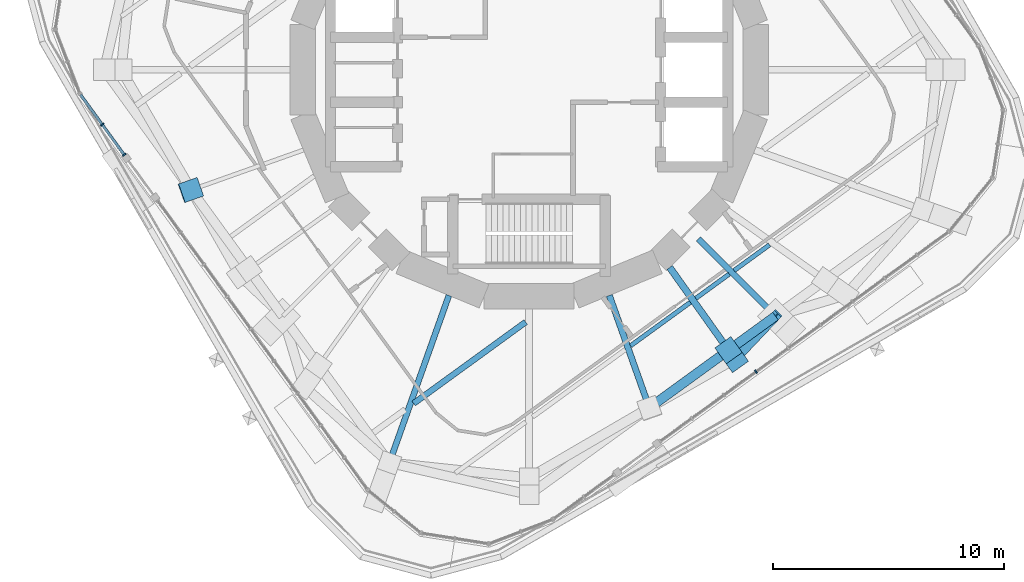
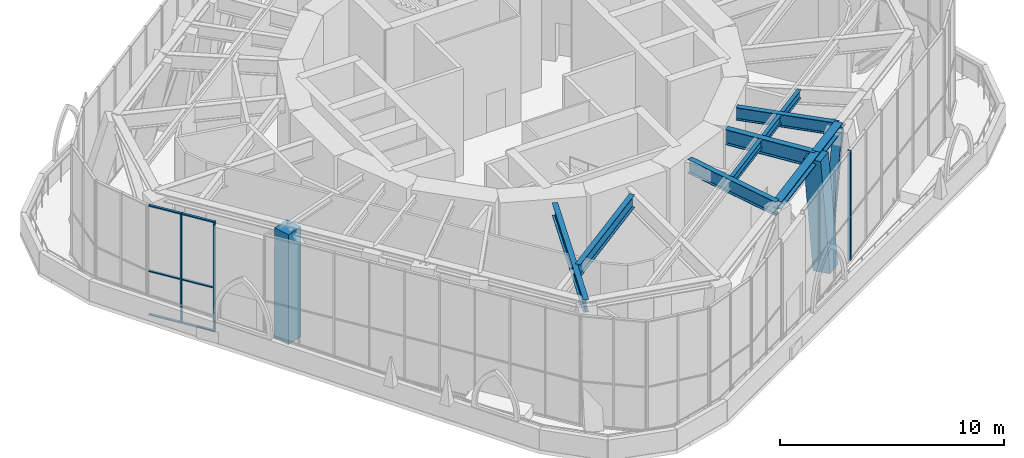
# One storey, part 3 of 18: 14 members, 8 beams, 2 elements without a shape of their own.
"""IFC4 building model written with IfcOpenShell, lengths in metres."""

from ifc_helpers import new_model, si_unit, direction, frame, origin, origin_2d, place, context, subcontext, project, spatial, rectangle, i_section, extrude, material, material_profile, profile_set, type_object, element, aggregate, save


model = new_model("IFC4")

# Units and contexts
model_context = context("Model", 3, precision=1e-05, world=origin(), true_north=direction((0.0, 1.0)))
body_context = subcontext(model_context, "Body", "Model", "MODEL_VIEW")
ifc_project = project(units=[si_unit("LENGTHUNIT", "METRE"), si_unit("AREAUNIT", "SQUARE_METRE"), si_unit("VOLUMEUNIT", "CUBIC_METRE"), si_unit("PLANEANGLEUNIT", "RADIAN"), si_unit("MASSUNIT", "GRAM", prefix="KILO")], contexts=[model_context])

# Site, building, storey
site_placement = place(None, origin())
site = spatial("IfcSite", under=ifc_project, at=site_placement, CompositionType="ELEMENT")
building_placement = place(site_placement, origin())
building = spatial("IfcBuilding", under=site, at=building_placement, Name="Nakasero Lantern House", CompositionType="ELEMENT")
storey_placement = place(building_placement, frame((0.0, 0.0, 257.75)))
storey = spatial("IfcBuildingStorey", under=building, at=storey_placement, Name="L63", CompositionType="ELEMENT", Elevation=257.75)

# Members
ifc_material_1 = material(Name="Steel S355", Category="steel")
ifc_material_profile_1 = material_profile(ifc_material_1, i_section(OverallWidth=0.406982421875, OverallDepth=0.4189453125, WebThickness=0.030517578125, FlangeThickness=0.04931640625, FilletRadius=0.01513671875, at=origin_2d()), Name="UC 356x406x393")
ifc_profile_set_1 = profile_set([ifc_material_profile_1], Name="Steel S355")
member_type_1 = type_object("IfcMemberType", Name="Belt truss chord UC 356x406x393", PredefinedType="CHORD", material=ifc_profile_set_1)
member_1_placement = place(storey_placement, frame((5.2041015625, -14.636474609375, 5.590576171875), z_axis=(0.809012304944, 0.587791706687, 0.0), x_axis=(-0.587791706687, 0.809012304944, 0.0)))
element("IfcMember", 1, at=member_1_placement, inside=storey, type_object=member_type_1, Name="Belt truss top chord T6 B7-C22T", PredefinedType="CHORD", context=body_context, shape_type="SweptSolid", body=[
    extrude(i_section(OverallWidth=0.406982421875, OverallDepth=0.4189453125, WebThickness=0.030517578125, FlangeThickness=0.04931640625, FilletRadius=0.01513671875, at=origin_2d()), origin(), (0.0, 0.0, 1.0), 4.2412109375),
])
member_2_placement = place(storey_placement, frame((8.63525390625, -12.1435546875, 5.590576171875), z_axis=(0.809017616558, 0.58778439593, 0.0), x_axis=(-0.58778439593, 0.809017616558, 0.0)))
element("IfcMember", 2, at=member_2_placement, inside=storey, type_object=member_type_1, Name="Belt truss top chord T6 B7-C23T", PredefinedType="CHORD", context=body_context, shape_type="SweptSolid", body=[
    extrude(i_section(OverallWidth=0.406982421875, OverallDepth=0.4189453125, WebThickness=0.030517578125, FlangeThickness=0.04931640625, FilletRadius=0.01513671875, at=origin_2d()), origin(), (0.0, 0.0, 1.0), 2.51171875),
])
ifc_material_2 = material(Name="Steel S355", Category="steel")
ifc_material_profile_2 = material_profile(ifc_material_2, i_section(OverallWidth=0.41845703125, OverallDepth=0.45556640625, WebThickness=0.0419921875, FlangeThickness=0.0673828125, FilletRadius=0.01513671875, at=origin_2d()), Name="UC 356x406x551")
ifc_profile_set_2 = profile_set([ifc_material_profile_2], Name="Steel S355")
member_type_2 = type_object("IfcMemberType", Name="Belt truss diagonal UC 356x406x551", PredefinedType="BRACE", material=ifc_profile_set_2)
member_3_placement = place(storey_placement, frame((8.906494140625, -12.524658203125, -0.409423828125), z_axis=(0.269926062061, 0.284747293422, 0.919814600835), x_axis=(-0.725742091262, 0.687966872001, 0.0)))
element("IfcMember", 3, at=member_3_placement, inside=storey, type_object=member_type_2, Name="Belt truss diagonal T6-23", PredefinedType="BRACE", context=body_context, shape_type="SweptSolid", body=[
    extrude(i_section(OverallWidth=0.41845703125, OverallDepth=0.45556640625, WebThickness=0.0419921875, FlangeThickness=0.0673828125, FilletRadius=0.01513671875, at=origin_2d()), origin(), (0.0, 0.0, 1.0), 6.52294921875),
])

# Beams
ifc_material_3 = material(Name="Steel S355", Category="steel")
ifc_material_profile_3 = material_profile(ifc_material_3, i_section(OverallWidth=0.19140625, OverallDepth=0.4599609375, WebThickness=0.010009765625, FlangeThickness=0.01611328125, FilletRadius=0.01025390625, at=origin_2d()), Name="UB 457x191x82")
ifc_profile_set_3 = profile_set([ifc_material_profile_3], Name="Steel S355")
beam_type_1 = type_object("IfcBeamType", Name="Infill beam UB 457x191x82", PredefinedType="JOIST", material=ifc_profile_set_3)
beam_1_placement = place(storey_placement, frame((4.390869140625, -11.95166015625, 5.570068359375), z_axis=(0.809003078897, 0.587804404827, 0.0), x_axis=(-0.587804404827, 0.809003078897, 0.0)))
element("IfcBeam", 4, at=beam_1_placement, inside=storey, type_object=beam_type_1, Name="Infill beam L64 03.3", PredefinedType="JOIST", context=body_context, shape_type="SweptSolid", body=[
    extrude(i_section(OverallWidth=0.19140625, OverallDepth=0.4599609375, WebThickness=0.010009765625, FlangeThickness=0.01611328125, FilletRadius=0.01025390625, at=origin_2d()), origin(), (0.0, 0.0, 1.0), 3.201904296875),
])
beam_2_placement = place(storey_placement, frame((7.2177734375, -9.897705078125, 5.570068359375), z_axis=(0.809060510352, 0.587725353025, 0.0), x_axis=(-0.587725353025, 0.809060510352, 0.0)))
element("IfcBeam", 5, at=beam_2_placement, inside=storey, type_object=beam_type_1, Name="Infill beam L64 03.4", PredefinedType="JOIST", context=body_context, shape_type="SweptSolid", body=[
    extrude(i_section(OverallWidth=0.19140625, OverallDepth=0.4599609375, WebThickness=0.010009765625, FlangeThickness=0.01611328125, FilletRadius=0.01025390625, at=origin_2d()), origin(), (0.0, 0.0, 1.0), 1.7890625),
])
beam_3_placement = place(storey_placement, frame((8.874755859375, -8.69384765625, 5.570068359375), z_axis=(0.809031333144, 0.587765516163, 0.0), x_axis=(-0.587765516163, 0.809031333144, 0.0)))
element("IfcBeam", 6, at=beam_3_placement, inside=storey, type_object=beam_type_1, Name="Infill beam L64 03.5", PredefinedType="JOIST", context=body_context, shape_type="SweptSolid", body=[
    extrude(i_section(OverallWidth=0.19140625, OverallDepth=0.4599609375, WebThickness=0.010009765625, FlangeThickness=0.01611328125, FilletRadius=0.01025390625, at=origin_2d()), origin(), (0.0, 0.0, 1.0), 1.89453125),
])
ifc_material_4 = material(Name="Steel S355", Category="steel")
ifc_material_profile_4 = material_profile(ifc_material_4, i_section(OverallWidth=0.255859375, OverallDepth=0.69287109375, WebThickness=0.014404296875, FlangeThickness=0.023681640625, FilletRadius=0.01513671875, at=origin_2d()), Name="UB 686x254x170")
ifc_profile_set_4 = profile_set([ifc_material_profile_4], Name="Steel S355")
beam_type_2 = type_object("IfcBeamType", Name="Infill beam UB 686x254x170", PredefinedType="JOIST", material=ifc_profile_set_4)
beam_4_placement = place(storey_placement, frame((-5.001953125, -14.44970703125, 5.45361328125), z_axis=(0.809022921666, 0.587777093989, 0.0), x_axis=(-0.587777093989, 0.809022921666, 0.0)))
element("IfcBeam", 7, at=beam_4_placement, inside=storey, type_object=beam_type_2, Name="Infill beam L64 04.2", PredefinedType="JOIST", context=body_context, shape_type="SweptSolid", body=[
    extrude(i_section(OverallWidth=0.255859375, OverallDepth=0.69287109375, WebThickness=0.014404296875, FlangeThickness=0.023681640625, FilletRadius=0.01513671875, at=origin_2d()), origin(), (0.0, 0.0, 1.0), 5.997314453125),
])

# Curtain wall, members
ifc_material_5 = material(Name="Aluminium 6063-T6 and glass", Category="aluminium")
curtain_wall_type = type_object("IfcCurtainWallType", Name="Sky lounge glazing CW-3", PredefinedType="USERDEFINED", material=ifc_material_5)
curtain_wall_1_placement = place(storey_placement, origin())
curtain_wall_1 = element("IfcCurtainWall", 8, at=curtain_wall_1_placement, inside=storey, type_object=curtain_wall_type, Name="Curtain wall CW-3 L63", ObjectType="STICK CURTAIN WALL", PredefinedType="USERDEFINED")
ifc_material_6 = material(Name="Aluminium 6063-T6", Category="aluminium")
ifc_material_profile_5 = material_profile(ifc_material_6, rectangle(XDim=0.06005859375, YDim=0.159912109375, at=origin_2d()), Name="CW-3 mullion 60x160")
ifc_profile_set_5 = profile_set([ifc_material_profile_5], Name="Aluminium 6063-T6")
member_type_3 = type_object("IfcMemberType", Name="Mullion CW-3", PredefinedType="MULLION", material=ifc_profile_set_5)
member_4_placement = place(storey_placement, frame((-18.488037109375, -2.36962890625, 0.0), z_axis=(0.0, 0.0, 1.0), x_axis=(0.587785252292, -0.809016994375, 0.0)))
member_4 = element("IfcMember", 9, at=member_4_placement, type_object=member_type_3, Name="CW-3 mullion 2", PredefinedType="MULLION", context=body_context, shape_type="SweptSolid", body=[
    extrude(rectangle(XDim=0.06005859375, YDim=0.159912109375, at=origin_2d()), origin(), (0.0, 0.0, 1.0), 6.0),
])
member_5_placement = place(storey_placement, frame((-17.535888671875, -3.68017578125, 0.0), z_axis=(0.0, 0.0, 1.0), x_axis=(0.587785252292, -0.809016994375, 0.0)))
member_5 = element("IfcMember", 10, at=member_5_placement, type_object=member_type_3, Name="CW-3 mullion 3", PredefinedType="MULLION", context=body_context, shape_type="SweptSolid", body=[
    extrude(rectangle(XDim=0.06005859375, YDim=0.159912109375, at=origin_2d()), origin(), (0.0, 0.0, 1.0), 6.0),
])

# Curtain wall, member
curtain_wall_2_placement = place(storey_placement, origin())
curtain_wall_2 = element("IfcCurtainWall", 11, at=curtain_wall_2_placement, inside=storey, type_object=curtain_wall_type, Name="Curtain wall CW-3 L63", ObjectType="STICK CURTAIN WALL", PredefinedType="USERDEFINED")
member_6_placement = place(storey_placement, frame((9.825927734375, -13.07080078125, 0.0), z_axis=(0.0, 0.0, 1.0), x_axis=(0.809016994375, 0.587785252292, 0.0)))
member_6 = element("IfcMember", 12, at=member_6_placement, type_object=member_type_3, Name="CW-3 mullion 4", PredefinedType="MULLION", context=body_context, shape_type="SweptSolid", body=[
    extrude(rectangle(XDim=0.06005859375, YDim=0.159912109375, at=origin_2d()), origin(), (0.0, 0.0, 1.0), 6.0),
])
aggregate(curtain_wall_2, [member_6])

# Beams
ifc_material_7 = material(Name="Steel S355", Category="steel")
ifc_material_profile_6 = material_profile(ifc_material_7, i_section(OverallWidth=0.255859375, OverallDepth=0.69287109375, WebThickness=0.014404296875, FlangeThickness=0.023681640625, FilletRadius=0.01513671875, at=origin_2d()), Name="UB 686x254x170")
ifc_profile_set_6 = profile_set([ifc_material_profile_6], Name="Steel S355")
beam_type_3 = type_object("IfcBeamType", Name="Primary beam UB 686x254x170, span 6 to 9 m", PredefinedType="BEAM", material=ifc_profile_set_6)
beam_5_placement = place(storey_placement, frame((-6.051513671875, -17.02001953125, 5.45361328125), z_axis=(0.334989005521, 0.942222036561, 0.0), x_axis=(-0.942222036561, 0.334989005521, 0.0)))
element("IfcBeam", 13, at=beam_5_placement, inside=storey, type_object=beam_type_3, Name="Primary beam L64 B7-C20T", PredefinedType="BEAM", context=body_context, shape_type="SweptSolid", body=[
    extrude(i_section(OverallWidth=0.255859375, OverallDepth=0.69287109375, WebThickness=0.014404296875, FlangeThickness=0.023681640625, FilletRadius=0.01513671875, at=origin_2d()), origin(), (0.0, 0.0, 1.0), 7.6923828125),
])
ifc_material_8 = material(Name="Steel S355", Category="steel")
ifc_material_profile_7 = material_profile(ifc_material_8, i_section(OverallWidth=0.255859375, OverallDepth=0.69287109375, WebThickness=0.014404296875, FlangeThickness=0.023681640625, FilletRadius=0.01513671875, at=origin_2d()), Name="UB 686x254x170")
ifc_profile_set_7 = profile_set([ifc_material_profile_7], Name="Steel S355")
beam_type_4 = type_object("IfcBeamType", Name="Primary beam UB 686x254x170, span to 6 m", PredefinedType="BEAM", material=ifc_profile_set_7)
beam_6_placement = place(storey_placement, frame((10.667236328125, -10.667236328125, 5.45361328125), z_axis=(-0.707106781187, 0.707106781187, 0.0), x_axis=(-0.707106781187, -0.707106781187, 0.0)))
element("IfcBeam", 14, at=beam_6_placement, inside=storey, type_object=beam_type_4, Name="Primary beam L64 B7-C24T", PredefinedType="BEAM", context=body_context, shape_type="SweptSolid", body=[
    extrude(i_section(OverallWidth=0.255859375, OverallDepth=0.69287109375, WebThickness=0.014404296875, FlangeThickness=0.023681640625, FilletRadius=0.01513671875, at=origin_2d()), origin(), (0.0, 0.0, 1.0), 4.727783203125),
])
ifc_material_9 = material(Name="Steel S355", Category="steel")
ifc_material_profile_8 = material_profile(ifc_material_9, i_section(OverallWidth=0.2666015625, OverallDepth=0.76220703125, WebThickness=0.014404296875, FlangeThickness=0.021484375, FilletRadius=0.0166015625, at=origin_2d()), Name="UB 762x267x173")
ifc_profile_set_8 = profile_set([ifc_material_profile_8], Name="Steel S355")
beam_type_5 = type_object("IfcBeamType", Name="Primary beam UB 762x267x173, span to 6 m", PredefinedType="BEAM", material=ifc_profile_set_8)
beam_7_placement = place(storey_placement, frame((5.2041015625, -14.636474609375, 5.4189453125), z_axis=(-0.3349910093, 0.942221324153, 0.0), x_axis=(-0.942221324153, -0.3349910093, 0.0)))
element("IfcBeam", 15, at=beam_7_placement, inside=storey, type_object=beam_type_5, Name="Primary beam L64 B7-C22T", PredefinedType="BEAM", context=body_context, shape_type="SweptSolid", body=[
    extrude(i_section(OverallWidth=0.2666015625, OverallDepth=0.76220703125, WebThickness=0.014404296875, FlangeThickness=0.021484375, FilletRadius=0.0166015625, at=origin_2d()), origin(), (0.0, 0.0, 1.0), 5.162841796875),
])
ifc_material_10 = material(Name="Steel S355", Category="steel")
ifc_material_profile_9 = material_profile(ifc_material_10, i_section(OverallWidth=0.29248046875, OverallDepth=0.8408203125, WebThickness=0.0146484375, FlangeThickness=0.02685546875, FilletRadius=0.017822265625, at=origin_2d()), Name="UB 838x292x194")
ifc_profile_set_9 = profile_set([ifc_material_profile_9], Name="Steel S355")
beam_type_6 = type_object("IfcBeamType", Name="Primary beam UB 838x292x194, span to 6 m", PredefinedType="BEAM", material=ifc_profile_set_9)
beam_8_placement = place(storey_placement, frame((8.63525390625, -12.1435546875, 5.379638671875), z_axis=(-0.579477068537, 0.814988544116, 0.0), x_axis=(-0.814988544116, -0.579477068537, 0.0)))
element("IfcBeam", 16, at=beam_8_placement, inside=storey, type_object=beam_type_6, Name="Primary beam L64 B7-C23T", PredefinedType="BEAM", context=body_context, shape_type="SweptSolid", body=[
    extrude(i_section(OverallWidth=0.29248046875, OverallDepth=0.8408203125, WebThickness=0.0146484375, FlangeThickness=0.02685546875, FilletRadius=0.017822265625, at=origin_2d()), origin(), (0.0, 0.0, 1.0), 4.396484375),
])

# Members
ifc_material_11 = material(Name="Concrete C45/55", Category="concrete")
ifc_material_profile_10 = material_profile(ifc_material_11, rectangle(XDim=0.85009765625, YDim=0.85009765625, at=origin_2d()), Name="RC 850x850")
ifc_profile_set_10 = profile_set([ifc_material_profile_10], Name="Concrete C45/55")
member_type_4 = type_object("IfcMemberType", Name="Raking column RC 850x850 C45/55", PredefinedType="STRUT", material=ifc_profile_set_10)
member_7_placement = place(storey_placement, frame((-14.657958984375, -5.211669921875, -0.409423828125), z_axis=(0.003580703363, 0.001261384139, 0.999992793711), x_axis=(-0.332259422668, 0.943188038542, 0.0)))
element("IfcMember", 17, at=member_7_placement, inside=storey, type_object=member_type_4, Name="Raking column B7-C16T L63", PredefinedType="STRUT", context=body_context, shape_type="SweptSolid", body=[
    extrude(rectangle(XDim=0.85009765625, YDim=0.85009765625, at=origin_2d()), origin(), (0.0, 0.0, 1.0), 6.0),
])
member_8_placement = place(storey_placement, frame((8.906494140625, -12.524658203125, -0.409423828125), z_axis=(-0.045069943694, 0.063325096405, 0.996974740072), x_axis=(-0.814719716355, -0.579854967886, 0.0)))
element("IfcMember", 18, at=member_8_placement, inside=storey, type_object=member_type_4, Name="Raking column B7-C23T L63", PredefinedType="STRUT", context=body_context, shape_type="SweptSolid", body=[
    extrude(rectangle(XDim=0.85009765625, YDim=0.85009765625, at=origin_2d()), origin(), (0.0, 0.0, 1.0), 6.018310546875),
])

# Member
ifc_material_12 = material(Name="Aluminium 6063-T6", Category="aluminium")
ifc_material_profile_11 = material_profile(ifc_material_12, rectangle(XDim=0.06005859375, YDim=0.1201171875, at=origin_2d()), Name="CW-3 transom 60x120")
ifc_profile_set_11 = profile_set([ifc_material_profile_11], Name="Aluminium 6063-T6")
member_type_5 = type_object("IfcMemberType", Name="Transom CW-3", PredefinedType="USERDEFINED", material=ifc_profile_set_11)
member_9_placement = place(storey_placement, frame((-19.422607421875, -1.083251953125, 0.030029296875), z_axis=(0.58773420051, -0.809054083205, 0.0), x_axis=(0.0, 0.0, 1.0)))
member_9 = element("IfcMember", 19, at=member_9_placement, type_object=member_type_5, Name="CW-3 transom 1.1", ObjectType="TRANSOM", PredefinedType="USERDEFINED", context=body_context, shape_type="SweptSolid", body=[
    extrude(rectangle(XDim=0.06005859375, YDim=0.1201171875, at=origin_2d()), origin(), (0.0, 0.0, 1.0), 1.559814453125),
])

member_10_placement = place(storey_placement, frame((-19.422607421875, -1.083251953125, 2.39990234375), z_axis=(0.58773420051, -0.809054083205, 0.0), x_axis=(0.0, 0.0, 1.0)))
member_10 = element("IfcMember", 20, at=member_10_placement, type_object=member_type_5, Name="CW-3 transom 1.2", ObjectType="TRANSOM", PredefinedType="USERDEFINED", context=body_context, shape_type="SweptSolid", body=[
    extrude(rectangle(XDim=0.06005859375, YDim=0.1201171875, at=origin_2d()), origin(), (0.0, 0.0, 1.0), 1.559814453125),
])

member_11_placement = place(storey_placement, frame((-19.422607421875, -1.083251953125, 5.969970703125), z_axis=(0.58773420051, -0.809054083205, 0.0), x_axis=(0.0, 0.0, 1.0)))
member_11 = element("IfcMember", 21, at=member_11_placement, type_object=member_type_5, Name="CW-3 transom 1.3", ObjectType="TRANSOM", PredefinedType="USERDEFINED", context=body_context, shape_type="SweptSolid", body=[
    extrude(rectangle(XDim=0.06005859375, YDim=0.1201171875, at=origin_2d()), origin(), (0.0, 0.0, 1.0), 1.559814453125),
])

member_12_placement = place(storey_placement, frame((-18.470458984375, -2.393798828125, 0.030029296875), z_axis=(0.587762220541, -0.809033727421, 0.0), x_axis=(0.0, 0.0, 1.0)))
member_12 = element("IfcMember", 22, at=member_12_placement, type_object=member_type_5, Name="CW-3 transom 2.1", ObjectType="TRANSOM", PredefinedType="USERDEFINED", context=body_context, shape_type="SweptSolid", body=[
    extrude(rectangle(XDim=0.06005859375, YDim=0.1201171875, at=origin_2d()), origin(), (0.0, 0.0, 1.0), 1.56005859375),
])

member_13_placement = place(storey_placement, frame((-18.470458984375, -2.393798828125, 2.39990234375), z_axis=(0.587762220541, -0.809033727421, 0.0), x_axis=(0.0, 0.0, 1.0)))
member_13 = element("IfcMember", 23, at=member_13_placement, type_object=member_type_5, Name="CW-3 transom 2.2", ObjectType="TRANSOM", PredefinedType="USERDEFINED", context=body_context, shape_type="SweptSolid", body=[
    extrude(rectangle(XDim=0.06005859375, YDim=0.1201171875, at=origin_2d()), origin(), (0.0, 0.0, 1.0), 1.56005859375),
])

member_14_placement = place(storey_placement, frame((-18.470458984375, -2.393798828125, 5.969970703125), z_axis=(0.587762220541, -0.809033727421, 0.0), x_axis=(0.0, 0.0, 1.0)))
member_14 = element("IfcMember", 24, at=member_14_placement, type_object=member_type_5, Name="CW-3 transom 2.3", ObjectType="TRANSOM", PredefinedType="USERDEFINED", context=body_context, shape_type="SweptSolid", body=[
    extrude(rectangle(XDim=0.06005859375, YDim=0.1201171875, at=origin_2d()), origin(), (0.0, 0.0, 1.0), 1.56005859375),
])

aggregate(curtain_wall_1, [member_4, member_5, member_9, member_10, member_11, member_12, member_13, member_14])

save(model, "model.ifc")
